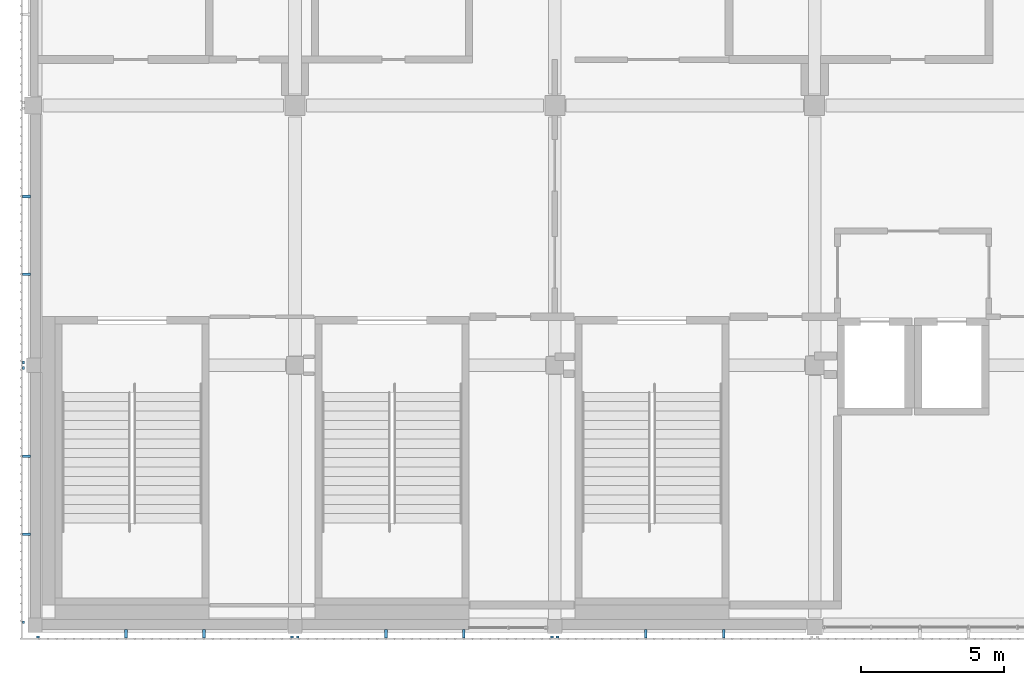
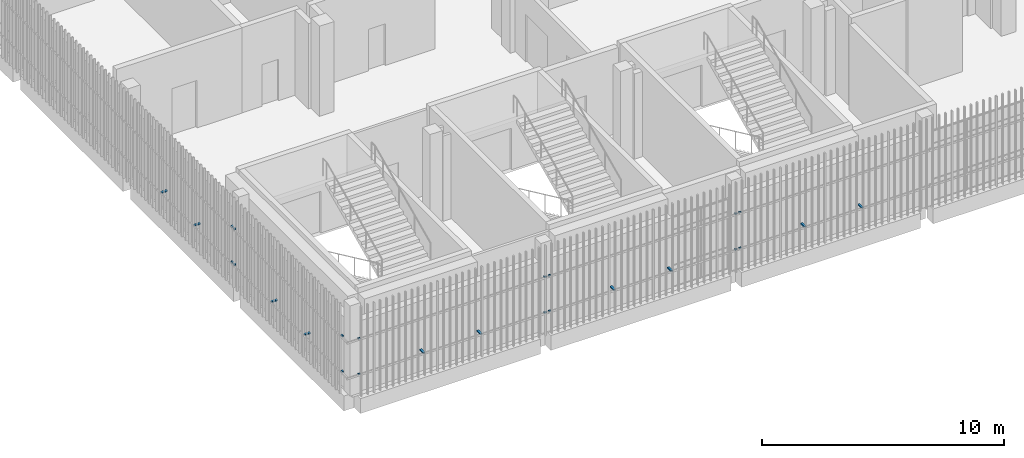
# One storey, part 96 of 139: 26 discrete accessories.
"""IFC4 building model written with IfcOpenShell, lengths in metres."""

from ifc_helpers import new_model, si_unit, direction, frame, origin, origin_2d, place, context, subcontext, project, spatial, rectangle, extrude, material, type_object, element, save


model = new_model("IFC4")

# Units and contexts
model_context = context("Model", 3, precision=1e-05, world=origin(), true_north=direction((0.0, 1.0)))
body_context = subcontext(model_context, "Body", "Model", "MODEL_VIEW")
ifc_project = project(units=[si_unit("LENGTHUNIT", "METRE"), si_unit("AREAUNIT", "SQUARE_METRE"), si_unit("VOLUMEUNIT", "CUBIC_METRE"), si_unit("PLANEANGLEUNIT", "RADIAN"), si_unit("MASSUNIT", "GRAM", prefix="KILO")], contexts=[model_context])

# Site, building, storey
site_placement = place(None, origin())
site = spatial("IfcSite", under=ifc_project, at=site_placement, CompositionType="ELEMENT")
building_placement = place(site_placement, origin())
building = spatial("IfcBuilding", under=site, at=building_placement, Name="Shirokan Park Arena", CompositionType="ELEMENT")
storey_placement = place(building_placement, frame((0.0, 0.0, 15.469970703125)))
storey = spatial("IfcBuildingStorey", under=building, at=storey_placement, Name="L03", CompositionType="ELEMENT", Elevation=15.469970703125)

# Discrete accessories
ifc_material = material(Name="Steel S355", Category="steel")
discrete_accessory_type = type_object("IfcDiscreteAccessoryType", Name="Veil bracket 100x60", PredefinedType="BRACKET", material=ifc_material)
for number, where, z_axis, x_axis, name in (
    (1, (0.10009765625, -0.409912109375, 1.070068359375), (0.0, 0.0, 1.0), (1.0, 0.0, 0.0), "Veil bracket south bay 1 L03 1"),
    (2, (9.0, -0.409912109375, 1.070068359375), (0.0, 0.0, 1.0), (1.0, 0.0, 0.0), "Veil bracket south bay 1 L03 2"),
    (3, (0.10009765625, -0.409912109375, 2.8701171875), (0.0, 0.0, 1.0), (1.0, 0.0, 0.0), "Veil bracket south bay 1 L03 3"),
    (4, (9.0, -0.409912109375, 2.8701171875), (0.0, 0.0, 1.0), (1.0, 0.0, 0.0), "Veil bracket south bay 1 L03 4"),
):
    element("IfcDiscreteAccessory", number, at=place(storey_placement, frame(where, z_axis=z_axis, x_axis=x_axis)), inside=storey, type_object=discrete_accessory_type, Name=name, PredefinedType="BRACKET", context=body_context, shape_type="SweptSolid", body=[
        extrude(rectangle(XDim=0.10009765625, YDim=0.070068359375, at=origin_2d()), origin(), (0.0, 0.0, 1.0), 0.06005859375),
    ])
for number, where, z_axis, x_axis, name in (
    (5, (3.18505859375, -0.297607421875, 1.070068359375), (0.0, 0.0, 1.0), (1.0, 0.0, 0.0), "Veil bracket south bay 1 L03 wall 1"),
    (6, (5.9150390625, -0.297607421875, 1.070068359375), (0.0, 0.0, 1.0), (1.0, 0.0, 0.0), "Veil bracket south bay 1 L03 wall 2"),
):
    element("IfcDiscreteAccessory", number, at=place(storey_placement, frame(where, z_axis=z_axis, x_axis=x_axis)), inside=storey, type_object=discrete_accessory_type, Name=name, PredefinedType="BRACKET", context=body_context, shape_type="SweptSolid", body=[
        extrude(rectangle(XDim=0.10009765625, YDim=0.294921875, at=origin_2d()), origin(), (0.0, 0.0, 1.0), 0.06005859375),
    ])
for number, where, z_axis, x_axis, name in (
    (7, (9.199951171875, -0.409912109375, 1.070068359375), (0.0, 0.0, 1.0), (1.0, 0.0, 0.0), "Veil bracket south bay 2 L03 1"),
    (8, (18.10009765625, -0.409912109375, 1.070068359375), (0.0, 0.0, 1.0), (1.0, 0.0, 0.0), "Veil bracket south bay 2 L03 2"),
    (9, (9.199951171875, -0.409912109375, 2.8701171875), (0.0, 0.0, 1.0), (1.0, 0.0, 0.0), "Veil bracket south bay 2 L03 3"),
    (10, (18.10009765625, -0.409912109375, 2.8701171875), (0.0, 0.0, 1.0), (1.0, 0.0, 0.0), "Veil bracket south bay 2 L03 4"),
):
    element("IfcDiscreteAccessory", number, at=place(storey_placement, frame(where, z_axis=z_axis, x_axis=x_axis)), inside=storey, type_object=discrete_accessory_type, Name=name, PredefinedType="BRACKET", context=body_context, shape_type="SweptSolid", body=[
        extrude(rectangle(XDim=0.10009765625, YDim=0.070068359375, at=origin_2d()), origin(), (0.0, 0.0, 1.0), 0.06005859375),
    ])
for number, where, z_axis, x_axis, name in (
    (11, (12.284912109375, -0.297607421875, 1.070068359375), (0.0, 0.0, 1.0), (1.0, 0.0, 0.0), "Veil bracket south bay 2 L03 wall 1"),
    (12, (15.014892578125, -0.297607421875, 1.070068359375), (0.0, 0.0, 1.0), (1.0, 0.0, 0.0), "Veil bracket south bay 2 L03 wall 2"),
):
    element("IfcDiscreteAccessory", number, at=place(storey_placement, frame(where, z_axis=z_axis, x_axis=x_axis)), inside=storey, type_object=discrete_accessory_type, Name=name, PredefinedType="BRACKET", context=body_context, shape_type="SweptSolid", body=[
        extrude(rectangle(XDim=0.10009765625, YDim=0.294921875, at=origin_2d()), origin(), (0.0, 0.0, 1.0), 0.06005859375),
    ])
for number, where, z_axis, x_axis, name in (
    (13, (18.300048828125, -0.409912109375, 1.070068359375), (0.0, 0.0, 1.0), (1.0, 0.0, 0.0), "Veil bracket south bay 3 L03 1"),
    (14, (18.300048828125, -0.409912109375, 2.8701171875), (0.0, 0.0, 1.0), (1.0, 0.0, 0.0), "Veil bracket south bay 3 L03 3"),
):
    element("IfcDiscreteAccessory", number, at=place(storey_placement, frame(where, z_axis=z_axis, x_axis=x_axis)), inside=storey, type_object=discrete_accessory_type, Name=name, PredefinedType="BRACKET", context=body_context, shape_type="SweptSolid", body=[
        extrude(rectangle(XDim=0.10009765625, YDim=0.070068359375, at=origin_2d()), origin(), (0.0, 0.0, 1.0), 0.06005859375),
    ])
for number, where, z_axis, x_axis, name in (
    (15, (21.385009765625, -0.297607421875, 1.070068359375), (0.0, 0.0, 1.0), (1.0, 0.0, 0.0), "Veil bracket south bay 3 L03 wall 1"),
    (16, (24.114990234375, -0.297607421875, 1.070068359375), (0.0, 0.0, 1.0), (1.0, 0.0, 0.0), "Veil bracket south bay 3 L03 wall 2"),
):
    element("IfcDiscreteAccessory", number, at=place(storey_placement, frame(where, z_axis=z_axis, x_axis=x_axis)), inside=storey, type_object=discrete_accessory_type, Name=name, PredefinedType="BRACKET", context=body_context, shape_type="SweptSolid", body=[
        extrude(rectangle(XDim=0.10009765625, YDim=0.294921875, at=origin_2d()), origin(), (0.0, 0.0, 1.0), 0.06005859375),
    ])
for number, where, z_axis, x_axis, name in (
    (17, (-0.409912109375, 9.199951171875, 1.070068359375), (0.0, 0.0, 1.0), (0.0, -1.0, 0.0), "Veil bracket west bay 11 L03 2"),
    (18, (-0.409912109375, 9.199951171875, 2.8701171875), (0.0, 0.0, 1.0), (0.0, -1.0, 0.0), "Veil bracket west bay 11 L03 4"),
):
    element("IfcDiscreteAccessory", number, at=place(storey_placement, frame(where, z_axis=z_axis, x_axis=x_axis)), inside=storey, type_object=discrete_accessory_type, Name=name, PredefinedType="BRACKET", context=body_context, shape_type="SweptSolid", body=[
        extrude(rectangle(XDim=0.10009765625, YDim=0.070068359375, at=origin_2d()), origin(), (0.0, 0.0, 1.0), 0.06005859375),
    ])
for number, where, z_axis, x_axis, name in (
    (19, (-0.297607421875, 15.014892578125, 1.070068359375), (0.0, 0.0, 1.0), (0.0, -1.0, 0.0), "Veil bracket west bay 11 L03 wall 1"),
    (20, (-0.297607421875, 12.284912109375, 1.070068359375), (0.0, 0.0, 1.0), (0.0, -1.0, 0.0), "Veil bracket west bay 11 L03 wall 2"),
):
    element("IfcDiscreteAccessory", number, at=place(storey_placement, frame(where, z_axis=z_axis, x_axis=x_axis)), inside=storey, type_object=discrete_accessory_type, Name=name, PredefinedType="BRACKET", context=body_context, shape_type="SweptSolid", body=[
        extrude(rectangle(XDim=0.10009765625, YDim=0.294921875, at=origin_2d()), origin(), (0.0, 0.0, 1.0), 0.06005859375),
    ])
for number, where, z_axis, x_axis, name in (
    (21, (-0.409912109375, 9.0, 1.070068359375), (0.0, 0.0, 1.0), (0.0, -1.0, 0.0), "Veil bracket west bay 12 L03 1"),
    (22, (-0.409912109375, 0.10009765625, 1.070068359375), (0.0, 0.0, 1.0), (0.0, -1.0, 0.0), "Veil bracket west bay 12 L03 2"),
    (23, (-0.409912109375, 9.0, 2.8701171875), (0.0, 0.0, 1.0), (0.0, -1.0, 0.0), "Veil bracket west bay 12 L03 3"),
    (24, (-0.409912109375, 0.10009765625, 2.8701171875), (0.0, 0.0, 1.0), (0.0, -1.0, 0.0), "Veil bracket west bay 12 L03 4"),
):
    element("IfcDiscreteAccessory", number, at=place(storey_placement, frame(where, z_axis=z_axis, x_axis=x_axis)), inside=storey, type_object=discrete_accessory_type, Name=name, PredefinedType="BRACKET", context=body_context, shape_type="SweptSolid", body=[
        extrude(rectangle(XDim=0.10009765625, YDim=0.070068359375, at=origin_2d()), origin(), (0.0, 0.0, 1.0), 0.06005859375),
    ])
for number, where, z_axis, x_axis, name in (
    (25, (-0.297607421875, 5.9150390625, 1.070068359375), (0.0, 0.0, 1.0), (0.0, -1.0, 0.0), "Veil bracket west bay 12 L03 wall 1"),
    (26, (-0.297607421875, 3.18505859375, 1.070068359375), (0.0, 0.0, 1.0), (0.0, -1.0, 0.0), "Veil bracket west bay 12 L03 wall 2"),
):
    element("IfcDiscreteAccessory", number, at=place(storey_placement, frame(where, z_axis=z_axis, x_axis=x_axis)), inside=storey, type_object=discrete_accessory_type, Name=name, PredefinedType="BRACKET", context=body_context, shape_type="SweptSolid", body=[
        extrude(rectangle(XDim=0.10009765625, YDim=0.294921875, at=origin_2d()), origin(), (0.0, 0.0, 1.0), 0.06005859375),
    ])

save(model, "model.ifc")
